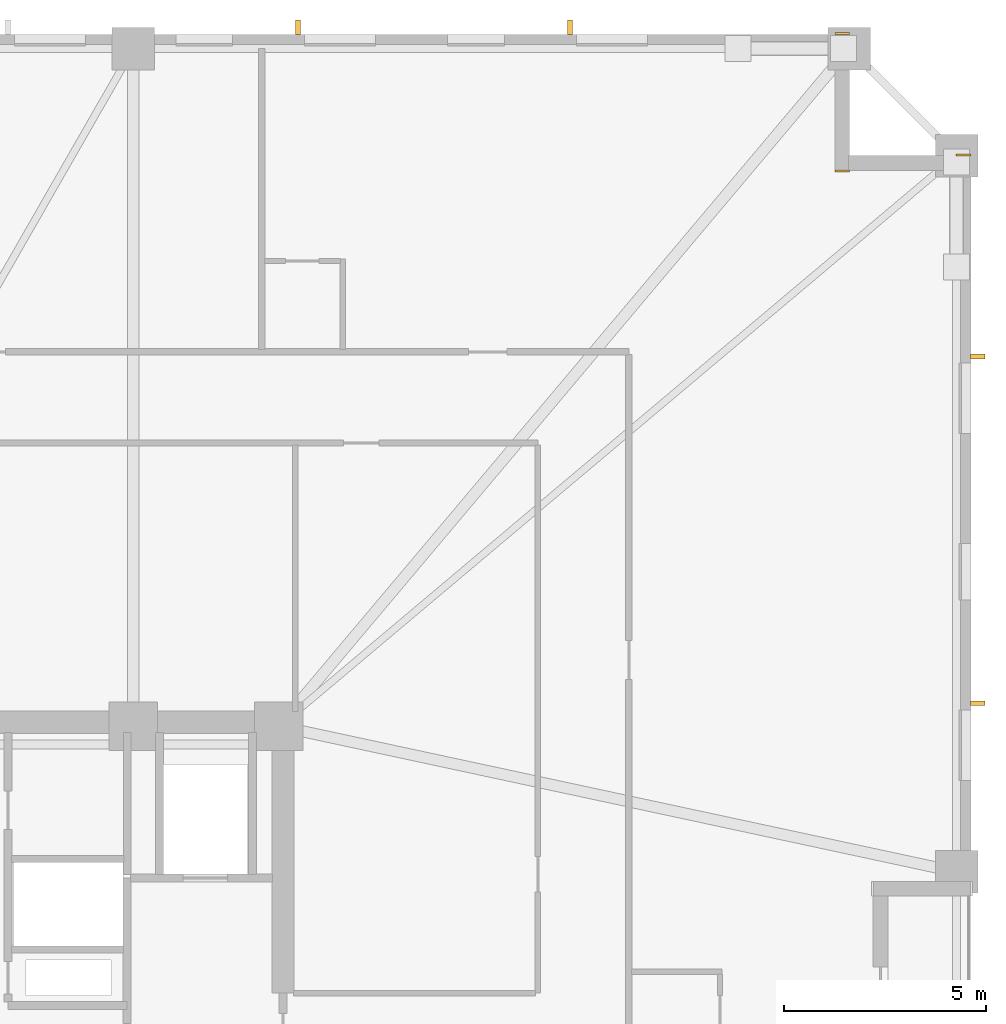
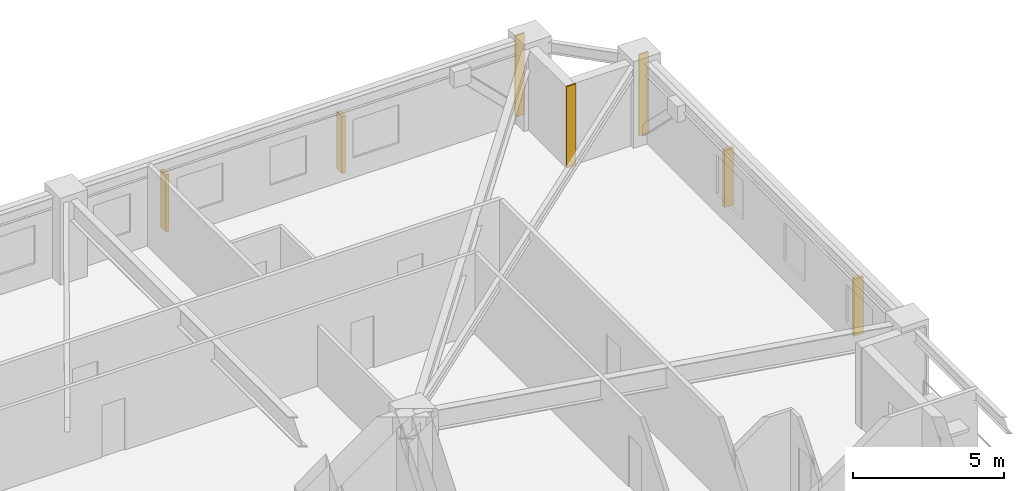
# One storey, part 11 of 11: 4 shading devices, 3 coverings.
"""IFC4 building model written with IfcOpenShell, lengths in metres."""

from ifc_helpers import new_model, si_unit, direction, frame, frame_2d, origin, origin_2d, place, context, subcontext, project, spatial, rectangle, extrude, material, layer, layer_set, type_object, element, save


model = new_model("IFC4")

# Units and contexts
model_context = context("Model", 3, precision=1e-05, world=origin(), true_north=direction((0.0, 1.0)))
body_context = subcontext(model_context, "Body", "Model", "MODEL_VIEW")
ifc_project = project(units=[si_unit("LENGTHUNIT", "METRE"), si_unit("AREAUNIT", "SQUARE_METRE"), si_unit("VOLUMEUNIT", "CUBIC_METRE"), si_unit("PLANEANGLEUNIT", "RADIAN"), si_unit("MASSUNIT", "GRAM", prefix="KILO")], contexts=[model_context])

# Site, building, storey
site_placement = place(None, origin())
site = spatial("IfcSite", under=ifc_project, at=site_placement, CompositionType="ELEMENT")
building_placement = place(site_placement, origin())
building = spatial("IfcBuilding", under=site, at=building_placement, Name="Cairnveth Concourse Tower", CompositionType="ELEMENT")
storey_placement = place(building_placement, frame((0.0, 0.0, 72.5)))
storey = spatial("IfcBuildingStorey", under=building, at=storey_placement, Name="L19", CompositionType="ELEMENT", Elevation=72.5)

# Coverings
ifc_material_1 = material(Name="Dressed Melbourne Bluestone Cladding", Category="masonry")
ifc_layer = layer(ifc_material_1, 0.050048828125)
ifc_layer_set = layer_set([ifc_layer], Name="Dressed Melbourne Bluestone Cladding")
covering_type = type_object("IfcCoveringType", Name="DRESSED BLUESTONE PLINTH CLADDING 50", PredefinedType="CLADDING", material=ifc_layer_set)
for number, where, z_axis, x_axis, name in (
    (1, (74.139892578125, 64.52001953125, 0.0), (0.0, 0.0, 1.0), (1.0, 0.0, 0.0), "Melbourne Bluestone Corner Quoin L19-257"),
    (2, (74.139892578125, 61.1201171875, 0.0), (0.0, 0.0, 1.0), (1.0, 0.0, 0.0), "Melbourne Bluestone Corner Quoin L19-258"),
    (3, (77.139892578125, 61.52001953125, 0.0), (0.0, 0.0, 1.0), (1.0, 0.0, 0.0), "Melbourne Bluestone Corner Quoin L19-259"),
):
    element("IfcCovering", number, at=place(storey_placement, frame(where, z_axis=z_axis, x_axis=x_axis)), inside=storey, type_object=covering_type, Name=name, PredefinedType="CLADDING", context=body_context, shape_type="SweptSolid", body=[
        extrude(rectangle(XDim=0.360107421875, YDim=0.050048828125, at=frame_2d((0.18017578125, 0.0))), origin(), (0.0, 0.0, 1.0), 3.280029296875),
    ])

# Shading devices
ifc_material_2 = material(Name="Architectural Bronze Anodised Aluminium 6063-T6", Category="aluminium")
shading_device_type = type_object("IfcShadingDeviceType", Name="GOTHIC BRONZE VERTICAL LANCET FIN", PredefinedType="USERDEFINED", material=ifc_material_2)
for number, where, z_axis, x_axis, name in (
    (4, (60.87646484375, 64.675048828125, 0.02978515625), (0.0, 0.0, 1.0), (1.0, 0.0, 0.0), "Gothic Bronze Vertical Fin L19-9-9"),
    (5, (67.596923828125, 64.675048828125, 0.02978515625), (0.0, 0.0, 1.0), (1.0, 0.0, 0.0), "Gothic Bronze Vertical Fin L19-9-11"),
    (6, (77.675048828125, 56.541259765625, 0.02978515625), (0.0, 0.0, 1.0), (0.0, 1.0, 0.0), "Gothic Bronze Vertical Fin L19-12-1"),
    (7, (77.675048828125, 47.966796875, 0.02978515625), (0.0, 0.0, 1.0), (0.0, 1.0, 0.0), "Gothic Bronze Vertical Fin L19-12-3"),
):
    element("IfcShadingDevice", number, at=place(storey_placement, frame(where, z_axis=z_axis, x_axis=x_axis)), inside=storey, type_object=shading_device_type, Name=name, ObjectType="VERTICAL FIN", PredefinedType="USERDEFINED", context=body_context, shape_type="SweptSolid", body=[
        extrude(rectangle(XDim=0.1201171875, YDim=0.360107421875, at=origin_2d()), origin(), (0.0, 0.0, 1.0), 2.303955078125),
    ])

save(model, "model.ifc")
